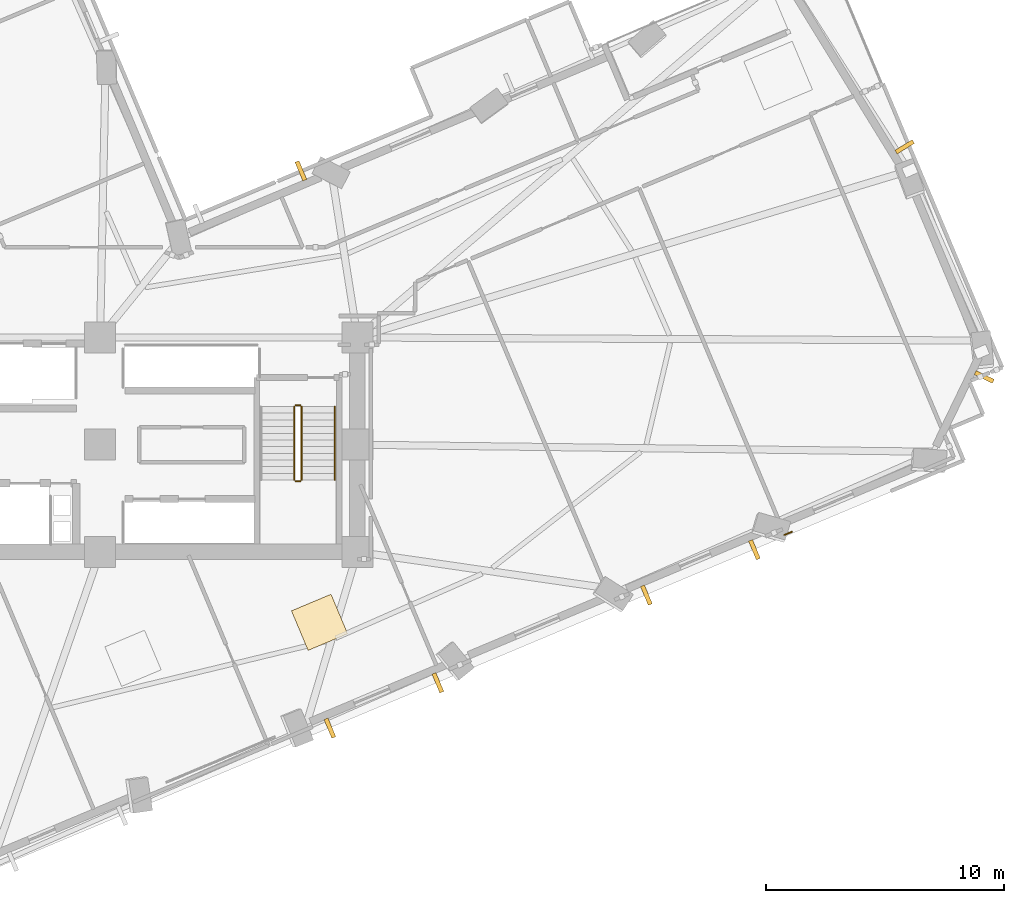
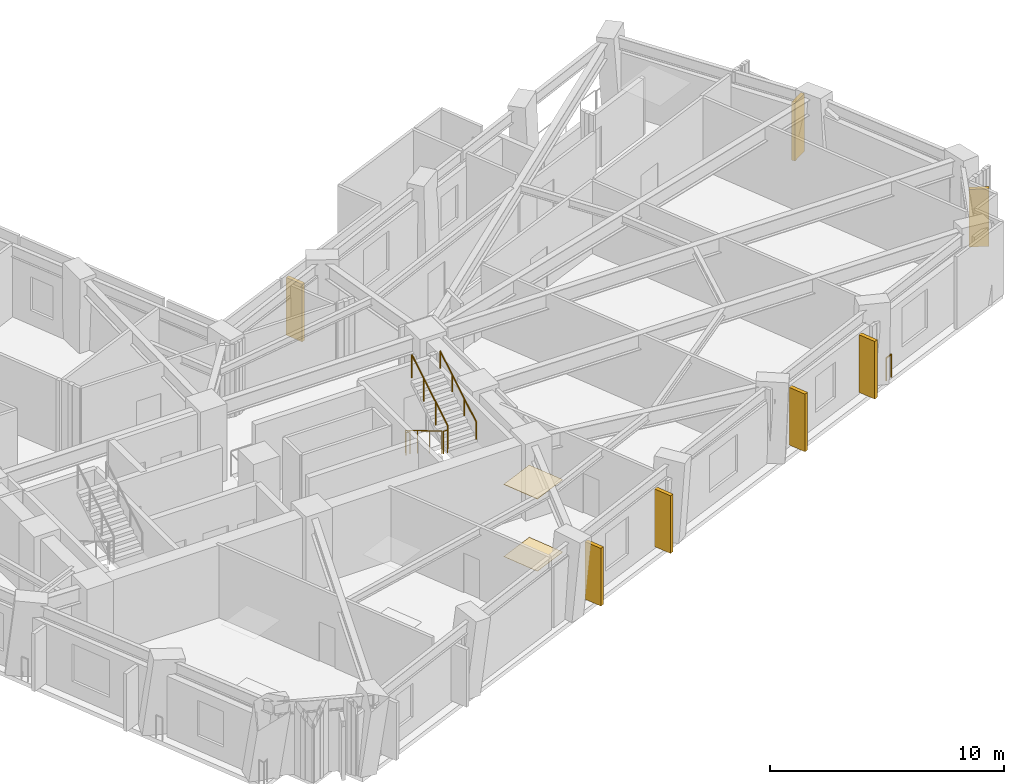
# One storey, part 16 of 18: 7 shading devices, 6 railings, 2 coverings.
"""IFC4 building model written with IfcOpenShell, lengths in metres."""

from ifc_helpers import new_model, si_unit, direction, frame, origin, origin_2d, place, context, subcontext, project, spatial, rectangle, circle, extrude, material, layer, layer_set, type_object, element, save


model = new_model("IFC4")

# Units and contexts
model_context = context("Model", 3, precision=1e-05, world=origin(), true_north=direction((0.0, 1.0)))
body_context = subcontext(model_context, "Body", "Model", "MODEL_VIEW")
ifc_project = project(units=[si_unit("LENGTHUNIT", "METRE"), si_unit("AREAUNIT", "SQUARE_METRE"), si_unit("VOLUMEUNIT", "CUBIC_METRE"), si_unit("PLANEANGLEUNIT", "RADIAN"), si_unit("MASSUNIT", "GRAM", prefix="KILO")], contexts=[model_context])

# Site, building, storey
site_placement = place(None, origin())
site = spatial("IfcSite", under=ifc_project, at=site_placement, CompositionType="ELEMENT")
building_placement = place(site_placement, origin())
building = spatial("IfcBuilding", under=site, at=building_placement, Name="Gaonmaruhae Medical Tower", CompositionType="ELEMENT")
storey_placement = place(building_placement, frame((0.0, 0.0, 120.39990234375)))
storey = spatial("IfcBuildingStorey", under=building, at=storey_placement, Name="L28", CompositionType="ELEMENT", Elevation=120.39990234375)

# Coverings
ifc_material_1 = material(Name="Acoustic mineral ceiling tile", Category="finish")
ifc_layer_1 = layer(ifc_material_1, 0.02490234375)
ifc_layer_set_1 = layer_set([ifc_layer_1], Name="Acoustic mineral ceiling tile")
covering_type_1 = type_object("IfcCoveringType", Name="CLG-01 Antimicrobial Acoustic Mineral Ceiling", PredefinedType="CEILING", material=ifc_layer_set_1)
covering_1_placement = place(storey_placement, frame((34.009033203125, 4.84716796875, 3.755126953125), z_axis=(0.0, 0.0, 1.0), x_axis=(0.921863151589, 0.387515586452, 0.0)))
element("IfcCovering", 1, at=covering_1_placement, inside=storey, type_object=covering_type_1, Name="L28 Clinical Room Acoustic Ceiling 4", PredefinedType="CEILING", context=body_context, shape_type="SweptSolid", body=[
    extrude(rectangle(XDim=1.800048828125, YDim=1.800048828125, at=origin_2d()), origin(), (0.0, 0.0, 1.0), 0.02490234375),
])
ifc_material_2 = material(Name="Seamless clinical vinyl flooring", Category="finish")
ifc_layer_2 = layer(ifc_material_2, 0.014892578125)
ifc_layer_set_2 = layer_set([ifc_layer_2], Name="Seamless clinical vinyl flooring")
covering_type_2 = type_object("IfcCoveringType", Name="FLR-01 Seamless Clinical Antistatic Vinyl Flooring", PredefinedType="FLOORING", material=ifc_layer_set_2)
covering_2_placement = place(storey_placement, frame((34.009033203125, 4.84716796875, 0.0), z_axis=(0.0, 0.0, 1.0), x_axis=(0.921863151589, 0.387515586452, 0.0)))
element("IfcCovering", 2, at=covering_2_placement, inside=storey, type_object=covering_type_2, Name="L28 Clinical Room Vinyl Flooring 4", PredefinedType="FLOORING", context=body_context, shape_type="SweptSolid", body=[
    extrude(rectangle(XDim=1.800048828125, YDim=1.800048828125, at=origin_2d()), origin(), (0.0, 0.0, 1.0), 0.014892578125),
])

# Railings
ifc_material_3 = material(Name="Stainless steel 316L and laminated safety glass", Category="steel")
ifc_layer_3 = layer(ifc_material_3, 0.080078125)
ifc_layer_set_3 = layer_set([ifc_layer_3], Name="Stainless steel 316L and laminated safety glass")
railing_type_1 = type_object("IfcRailingType", Name="GD-120 Outdoor Terrace Safety Glass & Steel Balustrade", PredefinedType="BALUSTRADE", material=ifc_layer_set_3)
railing_1_placement = place(storey_placement, frame((53.828125, 8.646484375, 0.0)))
element("IfcRailing", 3, at=railing_1_placement, inside=storey, type_object=railing_type_1, Name="L28 Perimeter Slab Edge Safety Balustrade 03", PredefinedType="BALUSTRADE", context=body_context, shape_type="SweptSolid", body=[
    extrude(circle(Radius=0.02392578125, at=origin_2d()), frame((0.0, 0.0, 1.17578125), z_axis=(-0.921730157547, -0.387831814924, 0.0), x_axis=(0.387831814924, -0.921730157547, 0.0)), (0.0, 0.0, 1.0), 0.33935546875),
    extrude(circle(Radius=0.02099609375, at=origin_2d()), origin(), (0.0, 0.0, 1.0), 1.15185546875),
    extrude(circle(Radius=0.02099609375, at=origin_2d()), frame((-0.312744140625, -0.131591796875, 0.0)), (0.0, 0.0, 1.0), 1.15185546875),
])
ifc_material_4 = material(Name="Stainless steel 304 handrail", Category="steel")
railing_type_2 = type_object("IfcRailingType", Name="HR-092 Continuous Stainless Steel Stair Handrail", PredefinedType="HANDRAIL", material=ifc_material_4)
railing_2_placement = place(storey_placement, frame((34.64990234375, 10.820068359375, 2.166748046875)))
element("IfcRailing", 4, at=railing_2_placement, inside=storey, type_object=railing_type_2, Name="L28 ST-02 stair handrail 2", PredefinedType="HANDRAIL", context=body_context, shape_type="SweptSolid", body=[
    extrude(circle(Radius=0.02392578125, at=origin_2d()), frame((0.0, 0.0, 0.8759765625), z_axis=(0.0, 0.859290745958, 0.51148745235), x_axis=(-1.0, 0.0, 0.0)), (0.0, 0.0, 1.0), 3.584228515625),
    extrude(circle(Radius=0.02099609375, at=origin_2d()), origin(), (0.0, 0.0, 1.0), 0.851806640625),
    extrude(circle(Radius=0.02099609375, at=origin_2d()), frame((0.0, 1.026611328125, 0.611083984375)), (0.0, 0.0, 1.0), 0.851806640625),
    extrude(circle(Radius=0.02099609375, at=origin_2d()), frame((0.0, 2.05322265625, 1.22216796875)), (0.0, 0.0, 1.0), 0.851806640625),
    extrude(circle(Radius=0.02099609375, at=origin_2d()), frame((0.0, 3.079833984375, 1.833251953125)), (0.0, 0.0, 1.0), 0.851806640625),
])

# Shading devices
ifc_material_5 = material(Name="Pigmented coral precast concrete C45/55", Category="concrete")
shading_device_type = type_object("IfcShadingDeviceType", Name="SD-FIN1 Tower Vertical Coral Precast Shading Fin", PredefinedType="USERDEFINED", material=ifc_material_5)
for number, where, z_axis, x_axis, name in (
    (5, (38.973876953125, 2.310302734375, 0.08251953125), (0.0, 0.0, 1.0), (-0.921863151589, -0.387515586452, 0.0), "L28 Vertical Coral Precast Shading Fin S03"),
    (6, (34.443603515625, 0.40576171875, 0.08251953125), (0.0, 0.0, 1.0), (-0.921863151589, -0.387515586452, 0.0), "L28 Vertical Coral Precast Shading Fin S03B"),
    (7, (52.25634765625, 7.893798828125, 0.08251953125), (0.0, 0.0, 1.0), (-0.921856388025, -0.38753167594, 0.0), "L28 Vertical Coral Precast Shading Fin S05"),
    (8, (47.722412109375, 5.98779296875, 0.08251953125), (0.0, 0.0, 1.0), (-0.921856388025, -0.38753167594, 0.0), "L28 Vertical Coral Precast Shading Fin S05B"),
    (9, (61.901123046875, 15.140869140625, 0.08251953125), (0.0, 0.0, 1.0), (-0.434476697439, -0.900683073774, 0.0), "L28 Vertical Coral Precast Shading Fin S07"),
    (10, (58.56005859375, 24.7978515625, 0.08251953125), (0.0, 0.0, 1.0), (0.523837243597, -0.851818373963, 0.0), "L28 Vertical Coral Precast Shading Fin E02B"),
    (11, (33.2265625, 23.79150390625, 0.08251953125), (0.0, 0.0, 1.0), (0.921863151589, 0.387515586452, 0.0), "L28 Vertical Coral Precast Shading Fin EN03B"),
):
    element("IfcShadingDevice", number, at=place(storey_placement, frame(where, z_axis=z_axis, x_axis=x_axis)), inside=storey, type_object=shading_device_type, Name=name, ObjectType="FIN", PredefinedType="USERDEFINED", context=body_context, shape_type="SweptSolid", body=[
        extrude(rectangle(XDim=0.179931640625, YDim=0.85009765625, at=origin_2d()), origin(), (0.0, 0.0, 1.0), 3.0),
    ])

# Railings
ifc_material_6 = material(Name="Stainless steel 304 balustrade", Category="steel")
railing_type_3 = type_object("IfcRailingType", Name="SG-112 Stair Well & Ramp Void Safety Balustrade", PredefinedType="BALUSTRADE", material=ifc_material_6)
railing_3_placement = place(storey_placement, frame((32.949951171875, 13.89990234375, 0.166748046875)))
element("IfcRailing", 12, at=railing_3_placement, inside=storey, type_object=railing_type_3, Name="L28 ST-02 stair guard 1", PredefinedType="BALUSTRADE", context=body_context, shape_type="SweptSolid", body=[
    extrude(circle(Radius=0.02392578125, at=origin_2d()), frame((0.0, 0.0, 1.17578125), z_axis=(0.0, -0.859290745958, 0.51148745235), x_axis=(1.0, 0.0, 0.0)), (0.0, 0.0, 1.0), 3.584228515625),
    extrude(circle(Radius=0.02099609375, at=origin_2d()), origin(), (0.0, 0.0, 1.0), 1.15185546875),
    extrude(circle(Radius=0.02099609375, at=origin_2d()), frame((0.0, -1.026611328125, 0.611083984375)), (0.0, 0.0, 1.0), 1.15185546875),
    extrude(circle(Radius=0.02099609375, at=origin_2d()), frame((0.0, -2.05322265625, 1.22216796875)), (0.0, 0.0, 1.0), 1.15185546875),
    extrude(circle(Radius=0.02099609375, at=origin_2d()), frame((0.0, -3.079833984375, 1.833251953125)), (0.0, 0.0, 1.0), 1.15185546875),
])
railing_4_placement = place(storey_placement, frame((33.0, 10.77001953125, 2.0)))
element("IfcRailing", 13, at=railing_4_placement, inside=storey, type_object=railing_type_3, Name="L28 ST-02 stair guard 2", PredefinedType="BALUSTRADE", context=body_context, shape_type="SweptSolid", body=[
    extrude(circle(Radius=0.02392578125, at=origin_2d()), frame((0.0, 0.0, 1.17578125), z_axis=(1.0, 0.0, 0.0), x_axis=(0.0, 1.0, 0.0)), (0.0, 0.0, 1.0), 0.199951171875),
    extrude(circle(Radius=0.02099609375, at=origin_2d()), origin(), (0.0, 0.0, 1.0), 1.15185546875),
    extrude(circle(Radius=0.02099609375, at=origin_2d()), frame((0.199951171875, 0.0, 0.0)), (0.0, 0.0, 1.0), 1.15185546875),
])
railing_5_placement = place(storey_placement, frame((33.25, 10.820068359375, 2.166748046875)))
element("IfcRailing", 14, at=railing_5_placement, inside=storey, type_object=railing_type_3, Name="L28 ST-02 stair guard 3", PredefinedType="BALUSTRADE", context=body_context, shape_type="SweptSolid", body=[
    extrude(circle(Radius=0.02392578125, at=origin_2d()), frame((0.0, 0.0, 1.17578125), z_axis=(0.0, 0.859290745958, 0.51148745235), x_axis=(-1.0, 0.0, 0.0)), (0.0, 0.0, 1.0), 3.584228515625),
    extrude(circle(Radius=0.02099609375, at=origin_2d()), origin(), (0.0, 0.0, 1.0), 1.15185546875),
    extrude(circle(Radius=0.02099609375, at=origin_2d()), frame((0.0, 1.026611328125, 0.611083984375)), (0.0, 0.0, 1.0), 1.15185546875),
    extrude(circle(Radius=0.02099609375, at=origin_2d()), frame((0.0, 2.05322265625, 1.22216796875)), (0.0, 0.0, 1.0), 1.15185546875),
    extrude(circle(Radius=0.02099609375, at=origin_2d()), frame((0.0, 3.079833984375, 1.833251953125)), (0.0, 0.0, 1.0), 1.15185546875),
])
railing_6_placement = place(storey_placement, frame((33.0, 13.949951171875, 0.0)))
element("IfcRailing", 15, at=railing_6_placement, inside=storey, type_object=railing_type_3, Name="L28 ST-02 stair guard 4", PredefinedType="BALUSTRADE", context=body_context, shape_type="SweptSolid", body=[
    extrude(circle(Radius=0.02392578125, at=origin_2d()), frame((0.0, 0.0, 1.17578125), z_axis=(1.0, 0.0, 0.0), x_axis=(0.0, 1.0, 0.0)), (0.0, 0.0, 1.0), 0.199951171875),
    extrude(circle(Radius=0.02099609375, at=origin_2d()), origin(), (0.0, 0.0, 1.0), 1.15185546875),
    extrude(circle(Radius=0.02099609375, at=origin_2d()), frame((0.199951171875, 0.0, 0.0)), (0.0, 0.0, 1.0), 1.15185546875),
])

save(model, "model.ifc")
